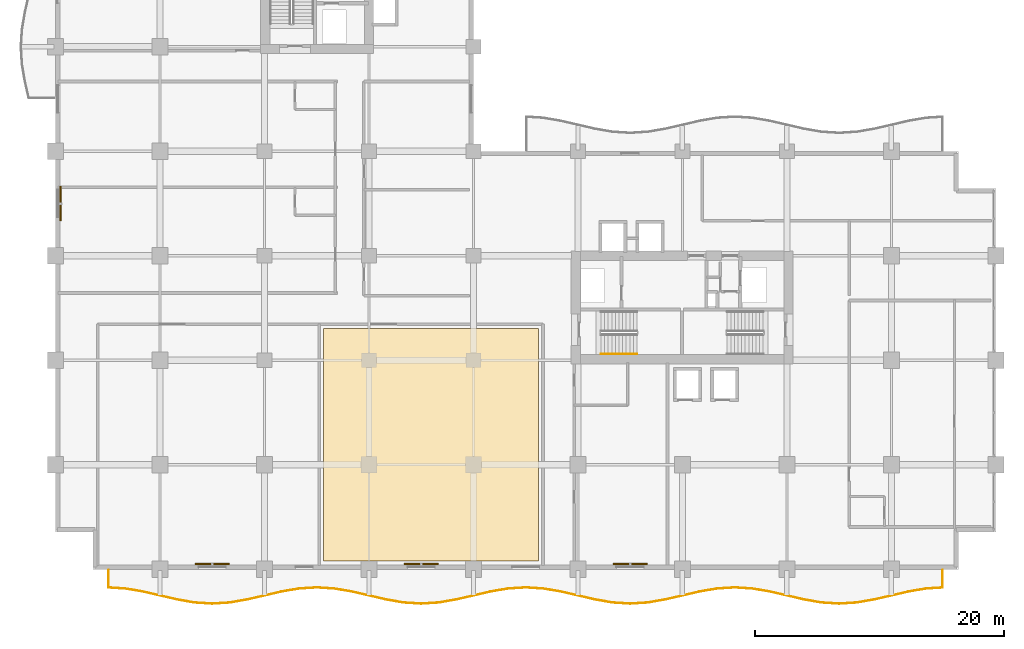
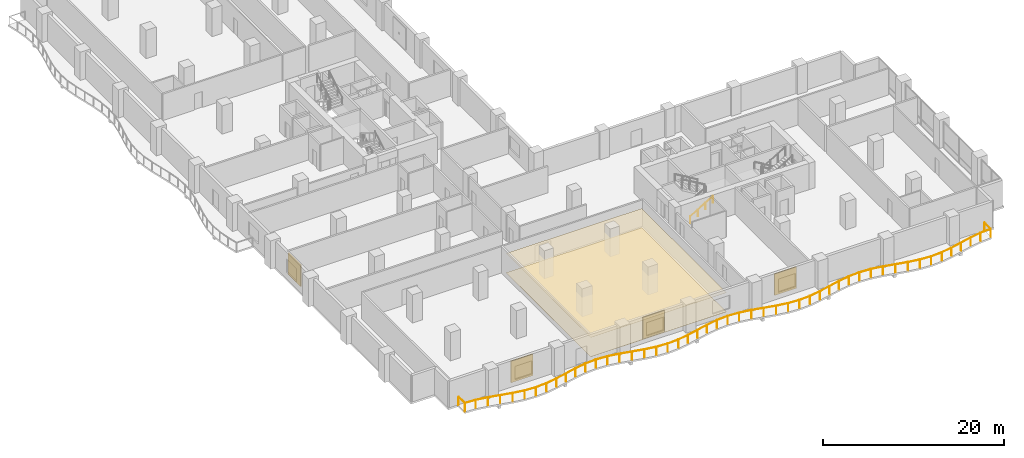
# One storey, part 20 of 23: 4 shading devices, 2 coverings, 2 railings.
"""IFC4 building model written with IfcOpenShell, lengths in metres."""

from ifc_helpers import new_model, si_unit, direction, frame, origin, origin_2d, place, context, subcontext, project, spatial, polyline, rectangle, circle, outline, extrude, material, layer, layer_set, type_object, element, save


model = new_model("IFC4")

# Units and contexts
model_context = context("Model", 3, precision=1e-05, world=origin(), true_north=direction((0.0, 1.0)))
body_context = subcontext(model_context, "Body", "Model", "MODEL_VIEW")
ifc_project = project(units=[si_unit("LENGTHUNIT", "METRE"), si_unit("AREAUNIT", "SQUARE_METRE"), si_unit("VOLUMEUNIT", "CUBIC_METRE"), si_unit("PLANEANGLEUNIT", "RADIAN"), si_unit("MASSUNIT", "GRAM", prefix="KILO")], contexts=[model_context])

# Site, building, storey
site_placement = place(None, origin())
site = spatial("IfcSite", under=ifc_project, at=site_placement, CompositionType="ELEMENT")
building_placement = place(site_placement, origin())
building = spatial("IfcBuilding", under=site, at=building_placement, Name="Koriwani Terraces Tower", CompositionType="ELEMENT")
storey_placement = place(building_placement, frame((0.0, 0.0, 134.199951171875)))
storey = spatial("IfcBuildingStorey", under=building, at=storey_placement, Name="L32", CompositionType="ELEMENT", Elevation=134.199951171875)

# Coverings
ifc_material_1 = material(Name="Fire-Rated Acoustic Gypsum Partition", Category="masonry")
ifc_layer_1 = layer(ifc_material_1, 0.02490234375, Name="Fire-Rated Acoustic Gypsum Partition")
ifc_layer_set_1 = layer_set([ifc_layer_1], Name="Fire-Rated Acoustic Gypsum Partition")
covering_type_1 = type_object("IfcCoveringType", Name="CEILING_ACOUSTIC_GYPSUM", PredefinedType="CEILING", material=ifc_layer_set_1)
covering_1_placement = place(storey_placement, frame((0.0, 0.0, 2.60498046875)))
element("IfcCovering", 1, at=covering_1_placement, inside=storey, type_object=covering_type_1, Name="L32 Suspended Acoustic Gypsum Ceiling", PredefinedType="CEILING", context=body_context, shape_type="SweptSolid", body=[
    extrude(outline(polyline([(21.550048828125, 0.64990234375), (21.550048828125, 19.35009765625), (38.85009765625, 19.35009765625), (38.85009765625, 0.64990234375), (21.550048828125, 0.64990234375)])), origin(), (0.0, 0.0, 1.0), 0.025146484375),
])
ifc_material_2 = material(Name="Polished Andean Slate Flooring", Category="masonry")
ifc_layer_2 = layer(ifc_material_2, 0.030029296875, Name="Polished Andean Slate Flooring")
ifc_layer_set_2 = layer_set([ifc_layer_2], Name="Polished Andean Slate Flooring")
covering_type_2 = type_object("IfcCoveringType", Name="FLOORING_ANDEAN_STONE", PredefinedType="FLOORING", material=ifc_layer_set_2)
covering_2_placement = place(storey_placement, origin())
element("IfcCovering", 2, at=covering_2_placement, inside=storey, type_object=covering_type_2, Name="L32 Polished Andean Slate Floor Finish", PredefinedType="FLOORING", context=body_context, shape_type="SweptSolid", body=[
    extrude(outline(polyline([(21.550048828125, 0.64990234375), (21.550048828125, 19.35009765625), (38.85009765625, 19.35009765625), (38.85009765625, 0.64990234375), (21.550048828125, 0.64990234375)])), origin(), (0.0, 0.0, 1.0), 0.030029296875),
])

# Railings
ifc_material_3 = material(Name="Steel ASTM A572 Grade 50", Category="steel")
railing_type_1 = type_object("IfcRailingType", Name="GUARD_BALUSTRADE_1150", PredefinedType="BALUSTRADE", material=ifc_material_3)
railing_1_placement = place(storey_placement, frame((4.280029296875, -0.080078125, 0.0)))
element("IfcRailing", 3, at=railing_1_placement, inside=storey, type_object=railing_type_1, Name="L32 Balcony Perimeter Safety Balustrade (S)", PredefinedType="BALUSTRADE", context=body_context, shape_type="SweptSolid", body=[
    extrude(circle(Radius=0.02392578125, at=origin_2d()), frame((0.0, 0.0, 1.1259765625), z_axis=(0.0, -1.0, 0.0), x_axis=(1.0, 0.0, 0.0)), (0.0, 0.0, 1.0), 1.394775390625),
    extrude(circle(Radius=0.02392578125, at=origin_2d()), frame((0.0, -1.394775390625, 1.1259765625), z_axis=(0.998066819565, -0.062150009521, 0.0), x_axis=(0.062150009521, 0.998066819565, 0.0)), (0.0, 0.0, 1.0), 1.331787109375),
    extrude(circle(Radius=0.02392578125, at=origin_2d()), frame((1.3291015625, -1.4775390625, 1.1259765625), z_axis=(0.985866306337, -0.167533954852, 0.0), x_axis=(0.167533954852, 0.985866306337, 0.0)), (0.0, 0.0, 1.0), 1.4267578125),
    extrude(circle(Radius=0.02392578125, at=origin_2d()), frame((2.735595703125, -1.716552734375, 1.1259765625), z_axis=(0.974109892753, -0.226075024805, 0.0), x_axis=(0.226075024805, 0.974109892753, 0.0)), (0.0, 0.0, 1.0), 2.874755859375),
    extrude(circle(Radius=0.02392578125, at=origin_2d()), frame((5.535888671875, -2.366455078125, 1.1259765625), z_axis=(0.985861269125, -0.167563594016, 0.0), x_axis=(0.167563594016, 0.985861269125, 0.0)), (0.0, 0.0, 1.0), 1.413330078125),
    extrude(circle(Radius=0.02392578125, at=origin_2d()), frame((6.92919921875, -2.603271484375, 1.1259765625), z_axis=(0.998075009192, -0.062018352335, 0.0), x_axis=(0.062018352335, 0.998075009192, 0.0)), (0.0, 0.0, 1.0), 1.3935546875),
    extrude(circle(Radius=0.02392578125, at=origin_2d()), frame((8.320068359375, -2.689697265625, 1.1259765625), z_axis=(0.998074335174, 0.062029198499, 0.0), x_axis=(-0.062029198499, 0.998074335174, 0.0)), (0.0, 0.0, 1.0), 1.393310546875),
    extrude(circle(Radius=0.02392578125, at=origin_2d()), frame((9.710693359375, -2.603271484375, 1.1259765625), z_axis=(0.985866118171, 0.167535062128, 0.0), x_axis=(-0.167535062128, 0.985866118171, 0.0)), (0.0, 0.0, 1.0), 1.41357421875),
    extrude(circle(Radius=0.02392578125, at=origin_2d()), frame((11.104248046875, -2.366455078125, 1.1259765625), z_axis=(0.974105551615, 0.226093729043, 0.0), x_axis=(-0.226093729043, 0.974105551615, 0.0)), (0.0, 0.0, 1.0), 2.87451171875),
    extrude(circle(Radius=0.02392578125, at=origin_2d()), frame((13.904296875, -1.716552734375, 1.1259765625), z_axis=(0.985866306337, 0.167533954852, 0.0), x_axis=(-0.167533954852, 0.985866306337, 0.0)), (0.0, 0.0, 1.0), 1.4267578125),
    extrude(circle(Radius=0.02392578125, at=origin_2d()), frame((15.310791015625, -1.4775390625, 1.1259765625), z_axis=(0.9980820707, 0.061904605217, 0.0), x_axis=(-0.061904605217, 0.9980820707, 0.0)), (0.0, 0.0, 1.0), 1.411865234375),
    extrude(circle(Radius=0.02392578125, at=origin_2d()), frame((16.719970703125, -1.39013671875, 1.1259765625), z_axis=(0.9980820707, -0.061904605217, 0.0), x_axis=(0.061904605217, 0.9980820707, 0.0)), (0.0, 0.0, 1.0), 1.411865234375),
    extrude(circle(Radius=0.02392578125, at=origin_2d()), frame((18.129150390625, -1.4775390625, 1.1259765625), z_axis=(0.985866306337, -0.167533954852, 0.0), x_axis=(0.167533954852, 0.985866306337, 0.0)), (0.0, 0.0, 1.0), 1.4267578125),
    extrude(circle(Radius=0.02392578125, at=origin_2d()), frame((19.53564453125, -1.716552734375, 1.1259765625), z_axis=(0.974105551615, -0.226093729043, 0.0), x_axis=(0.226093729043, 0.974105551615, 0.0)), (0.0, 0.0, 1.0), 2.87451171875),
    extrude(circle(Radius=0.02392578125, at=origin_2d()), frame((22.335693359375, -2.366455078125, 1.1259765625), z_axis=(0.985866118171, -0.167535062128, 0.0), x_axis=(0.167535062128, 0.985866118171, 0.0)), (0.0, 0.0, 1.0), 1.41357421875),
    extrude(circle(Radius=0.02392578125, at=origin_2d()), frame((23.729248046875, -2.603271484375, 1.1259765625), z_axis=(0.998074335174, -0.062029198499, 0.0), x_axis=(0.062029198499, 0.998074335174, 0.0)), (0.0, 0.0, 1.0), 1.393310546875),
    extrude(circle(Radius=0.02392578125, at=origin_2d()), frame((25.119873046875, -2.689697265625, 1.1259765625), z_axis=(0.998075009192, 0.062018352335, 0.0), x_axis=(-0.062018352335, 0.998075009192, 0.0)), (0.0, 0.0, 1.0), 1.3935546875),
    extrude(circle(Radius=0.02392578125, at=origin_2d()), frame((26.5107421875, -2.603271484375, 1.1259765625), z_axis=(0.985861269125, 0.167563594016, 0.0), x_axis=(-0.167563594016, 0.985861269125, 0.0)), (0.0, 0.0, 1.0), 1.413330078125),
    extrude(circle(Radius=0.02392578125, at=origin_2d()), frame((27.904052734375, -2.366455078125, 1.1259765625), z_axis=(0.974109892753, 0.226075024805, 0.0), x_axis=(-0.226075024805, 0.974109892753, 0.0)), (0.0, 0.0, 1.0), 2.874755859375),
    extrude(circle(Radius=0.02392578125, at=origin_2d()), frame((30.704345703125, -1.716552734375, 1.1259765625), z_axis=(0.985866306337, 0.167533954852, 0.0), x_axis=(-0.167533954852, 0.985866306337, 0.0)), (0.0, 0.0, 1.0), 1.4267578125),
    extrude(circle(Radius=0.02392578125, at=origin_2d()), frame((32.11083984375, -1.4775390625, 1.1259765625), z_axis=(0.9980820707, 0.061904605217, 0.0), x_axis=(-0.061904605217, 0.9980820707, 0.0)), (0.0, 0.0, 1.0), 1.411865234375),
    extrude(circle(Radius=0.02392578125, at=origin_2d()), frame((33.52001953125, -1.39013671875, 1.1259765625), z_axis=(0.9980820707, -0.061904605217, 0.0), x_axis=(0.061904605217, 0.9980820707, 0.0)), (0.0, 0.0, 1.0), 1.411865234375),
    extrude(circle(Radius=0.02392578125, at=origin_2d()), frame((34.92919921875, -1.4775390625, 1.1259765625), z_axis=(0.985866306337, -0.167533954852, 0.0), x_axis=(0.167533954852, 0.985866306337, 0.0)), (0.0, 0.0, 1.0), 1.4267578125),
    extrude(circle(Radius=0.02392578125, at=origin_2d()), frame((36.335693359375, -1.716552734375, 1.1259765625), z_axis=(0.974105551615, -0.226093729043, 0.0), x_axis=(0.226093729043, 0.974105551615, 0.0)), (0.0, 0.0, 1.0), 2.87451171875),
    extrude(circle(Radius=0.02392578125, at=origin_2d()), frame((39.1357421875, -2.366455078125, 1.1259765625), z_axis=(0.985861269125, -0.167563594016, 0.0), x_axis=(0.167563594016, 0.985861269125, 0.0)), (0.0, 0.0, 1.0), 1.413330078125),
    extrude(circle(Radius=0.02392578125, at=origin_2d()), frame((40.529052734375, -2.603271484375, 1.1259765625), z_axis=(0.998075009192, -0.062018352335, 0.0), x_axis=(0.062018352335, 0.998075009192, 0.0)), (0.0, 0.0, 1.0), 1.3935546875),
    extrude(circle(Radius=0.02392578125, at=origin_2d()), frame((41.919921875, -2.689697265625, 1.1259765625), z_axis=(0.998075009192, 0.062018352335, 0.0), x_axis=(-0.062018352335, 0.998075009192, 0.0)), (0.0, 0.0, 1.0), 1.3935546875),
    extrude(circle(Radius=0.02392578125, at=origin_2d()), frame((43.310791015625, -2.603271484375, 1.1259765625), z_axis=(0.985861269125, 0.167563594016, 0.0), x_axis=(-0.167563594016, 0.985861269125, 0.0)), (0.0, 0.0, 1.0), 1.413330078125),
    extrude(circle(Radius=0.02392578125, at=origin_2d()), frame((44.7041015625, -2.366455078125, 1.1259765625), z_axis=(0.974105551615, 0.226093729043, 0.0), x_axis=(-0.226093729043, 0.974105551615, 0.0)), (0.0, 0.0, 1.0), 2.87451171875),
    extrude(circle(Radius=0.02392578125, at=origin_2d()), frame((47.504150390625, -1.716552734375, 1.1259765625), z_axis=(0.985871108269, 0.16750569507, 0.0), x_axis=(-0.16750569507, 0.985871108269, 0.0)), (0.0, 0.0, 1.0), 1.427001953125),
    extrude(circle(Radius=0.02392578125, at=origin_2d()), frame((48.910888671875, -1.4775390625, 1.1259765625), z_axis=(0.9980820707, 0.061904605217, 0.0), x_axis=(-0.061904605217, 0.9980820707, 0.0)), (0.0, 0.0, 1.0), 1.411865234375),
    extrude(circle(Radius=0.02392578125, at=origin_2d()), frame((50.320068359375, -1.39013671875, 1.1259765625), z_axis=(0.9980820707, -0.061904605217, 0.0), x_axis=(0.061904605217, 0.9980820707, 0.0)), (0.0, 0.0, 1.0), 1.411865234375),
    extrude(circle(Radius=0.02392578125, at=origin_2d()), frame((51.729248046875, -1.4775390625, 1.1259765625), z_axis=(0.985866306337, -0.167533954852, 0.0), x_axis=(0.167533954852, 0.985866306337, 0.0)), (0.0, 0.0, 1.0), 1.4267578125),
    extrude(circle(Radius=0.02392578125, at=origin_2d()), frame((53.1357421875, -1.716552734375, 1.1259765625), z_axis=(0.974105551615, -0.226093729043, 0.0), x_axis=(0.226093729043, 0.974105551615, 0.0)), (0.0, 0.0, 1.0), 2.87451171875),
    extrude(circle(Radius=0.02392578125, at=origin_2d()), frame((55.935791015625, -2.366455078125, 1.1259765625), z_axis=(0.985861269125, -0.167563594016, 0.0), x_axis=(0.167563594016, 0.985861269125, 0.0)), (0.0, 0.0, 1.0), 1.413330078125),
    extrude(circle(Radius=0.02392578125, at=origin_2d()), frame((57.3291015625, -2.603271484375, 1.1259765625), z_axis=(0.998075009192, -0.062018352335, 0.0), x_axis=(0.062018352335, 0.998075009192, 0.0)), (0.0, 0.0, 1.0), 1.3935546875),
    extrude(circle(Radius=0.02392578125, at=origin_2d()), frame((58.719970703125, -2.689697265625, 1.1259765625), z_axis=(0.998075009192, 0.062018352335, 0.0), x_axis=(-0.062018352335, 0.998075009192, 0.0)), (0.0, 0.0, 1.0), 1.3935546875),
    extrude(circle(Radius=0.02392578125, at=origin_2d()), frame((60.11083984375, -2.603271484375, 1.1259765625), z_axis=(0.985861269125, 0.167563594016, 0.0), x_axis=(-0.167563594016, 0.985861269125, 0.0)), (0.0, 0.0, 1.0), 1.413330078125),
    extrude(circle(Radius=0.02392578125, at=origin_2d()), frame((61.504150390625, -2.366455078125, 1.1259765625), z_axis=(0.974105551615, 0.226093729043, 0.0), x_axis=(-0.226093729043, 0.974105551615, 0.0)), (0.0, 0.0, 1.0), 2.87451171875),
    extrude(circle(Radius=0.02392578125, at=origin_2d()), frame((64.30419921875, -1.716552734375, 1.1259765625), z_axis=(0.985866306337, 0.167533954852, 0.0), x_axis=(-0.167533954852, 0.985866306337, 0.0)), (0.0, 0.0, 1.0), 1.4267578125),
    extrude(circle(Radius=0.02392578125, at=origin_2d()), frame((65.710693359375, -1.4775390625, 1.1259765625), z_axis=(0.998067527518, 0.062138639454, 0.0), x_axis=(-0.062138639454, 0.998067527518, 0.0)), (0.0, 0.0, 1.0), 1.33203125),
    extrude(circle(Radius=0.02392578125, at=origin_2d()), frame((67.0400390625, -1.394775390625, 1.1259765625), z_axis=(0.0, 1.0, 0.0), x_axis=(-1.0, 0.0, 0.0)), (0.0, 0.0, 1.0), 1.394775390625),
    extrude(circle(Radius=0.02099609375, at=origin_2d()), origin(), (0.0, 0.0, 1.0), 1.101806640625),
    extrude(circle(Radius=0.02099609375, at=origin_2d()), frame((0.0, -1.394775390625, 0.0)), (0.0, 0.0, 1.0), 1.101806640625),
    extrude(circle(Radius=0.02099609375, at=origin_2d()), frame((1.3291015625, -1.4775390625, 0.0)), (0.0, 0.0, 1.0), 1.101806640625),
    extrude(circle(Radius=0.02099609375, at=origin_2d()), frame((2.735595703125, -1.716552734375, 0.0)), (0.0, 0.0, 1.0), 1.101806640625),
    extrude(circle(Radius=0.02099609375, at=origin_2d()), frame((4.1357421875, -2.04150390625, 0.0)), (0.0, 0.0, 1.0), 1.101806640625),
    extrude(circle(Radius=0.02099609375, at=origin_2d()), frame((5.535888671875, -2.366455078125, 0.0)), (0.0, 0.0, 1.0), 1.101806640625),
    extrude(circle(Radius=0.02099609375, at=origin_2d()), frame((6.92919921875, -2.603271484375, 0.0)), (0.0, 0.0, 1.0), 1.101806640625),
    extrude(circle(Radius=0.02099609375, at=origin_2d()), frame((8.320068359375, -2.689697265625, 0.0)), (0.0, 0.0, 1.0), 1.101806640625),
    extrude(circle(Radius=0.02099609375, at=origin_2d()), frame((9.710693359375, -2.603271484375, 0.0)), (0.0, 0.0, 1.0), 1.101806640625),
    extrude(circle(Radius=0.02099609375, at=origin_2d()), frame((11.104248046875, -2.366455078125, 0.0)), (0.0, 0.0, 1.0), 1.101806640625),
    extrude(circle(Radius=0.02099609375, at=origin_2d()), frame((12.50439453125, -2.04150390625, 0.0)), (0.0, 0.0, 1.0), 1.101806640625),
    extrude(circle(Radius=0.02099609375, at=origin_2d()), frame((13.904296875, -1.716552734375, 0.0)), (0.0, 0.0, 1.0), 1.101806640625),
    extrude(circle(Radius=0.02099609375, at=origin_2d()), frame((15.310791015625, -1.4775390625, 0.0)), (0.0, 0.0, 1.0), 1.101806640625),
    extrude(circle(Radius=0.02099609375, at=origin_2d()), frame((16.719970703125, -1.39013671875, 0.0)), (0.0, 0.0, 1.0), 1.101806640625),
    extrude(circle(Radius=0.02099609375, at=origin_2d()), frame((18.129150390625, -1.4775390625, 0.0)), (0.0, 0.0, 1.0), 1.101806640625),
    extrude(circle(Radius=0.02099609375, at=origin_2d()), frame((19.53564453125, -1.716552734375, 0.0)), (0.0, 0.0, 1.0), 1.101806640625),
    extrude(circle(Radius=0.02099609375, at=origin_2d()), frame((20.935546875, -2.04150390625, 0.0)), (0.0, 0.0, 1.0), 1.101806640625),
    extrude(circle(Radius=0.02099609375, at=origin_2d()), frame((22.335693359375, -2.366455078125, 0.0)), (0.0, 0.0, 1.0), 1.101806640625),
    extrude(circle(Radius=0.02099609375, at=origin_2d()), frame((23.729248046875, -2.603271484375, 0.0)), (0.0, 0.0, 1.0), 1.101806640625),
    extrude(circle(Radius=0.02099609375, at=origin_2d()), frame((25.119873046875, -2.689697265625, 0.0)), (0.0, 0.0, 1.0), 1.101806640625),
    extrude(circle(Radius=0.02099609375, at=origin_2d()), frame((26.5107421875, -2.603271484375, 0.0)), (0.0, 0.0, 1.0), 1.101806640625),
    extrude(circle(Radius=0.02099609375, at=origin_2d()), frame((27.904052734375, -2.366455078125, 0.0)), (0.0, 0.0, 1.0), 1.101806640625),
    extrude(circle(Radius=0.02099609375, at=origin_2d()), frame((29.30419921875, -2.04150390625, 0.0)), (0.0, 0.0, 1.0), 1.101806640625),
    extrude(circle(Radius=0.02099609375, at=origin_2d()), frame((30.704345703125, -1.716552734375, 0.0)), (0.0, 0.0, 1.0), 1.101806640625),
    extrude(circle(Radius=0.02099609375, at=origin_2d()), frame((32.11083984375, -1.4775390625, 0.0)), (0.0, 0.0, 1.0), 1.101806640625),
    extrude(circle(Radius=0.02099609375, at=origin_2d()), frame((33.52001953125, -1.39013671875, 0.0)), (0.0, 0.0, 1.0), 1.101806640625),
    extrude(circle(Radius=0.02099609375, at=origin_2d()), frame((34.92919921875, -1.4775390625, 0.0)), (0.0, 0.0, 1.0), 1.101806640625),
    extrude(circle(Radius=0.02099609375, at=origin_2d()), frame((36.335693359375, -1.716552734375, 0.0)), (0.0, 0.0, 1.0), 1.101806640625),
    extrude(circle(Radius=0.02099609375, at=origin_2d()), frame((37.73583984375, -2.04150390625, 0.0)), (0.0, 0.0, 1.0), 1.101806640625),
    extrude(circle(Radius=0.02099609375, at=origin_2d()), frame((39.1357421875, -2.366455078125, 0.0)), (0.0, 0.0, 1.0), 1.101806640625),
    extrude(circle(Radius=0.02099609375, at=origin_2d()), frame((40.529052734375, -2.603271484375, 0.0)), (0.0, 0.0, 1.0), 1.101806640625),
    extrude(circle(Radius=0.02099609375, at=origin_2d()), frame((41.919921875, -2.689697265625, 0.0)), (0.0, 0.0, 1.0), 1.101806640625),
    extrude(circle(Radius=0.02099609375, at=origin_2d()), frame((43.310791015625, -2.603271484375, 0.0)), (0.0, 0.0, 1.0), 1.101806640625),
    extrude(circle(Radius=0.02099609375, at=origin_2d()), frame((44.7041015625, -2.366455078125, 0.0)), (0.0, 0.0, 1.0), 1.101806640625),
    extrude(circle(Radius=0.02099609375, at=origin_2d()), frame((46.10400390625, -2.04150390625, 0.0)), (0.0, 0.0, 1.0), 1.101806640625),
    extrude(circle(Radius=0.02099609375, at=origin_2d()), frame((47.504150390625, -1.716552734375, 0.0)), (0.0, 0.0, 1.0), 1.101806640625),
    extrude(circle(Radius=0.02099609375, at=origin_2d()), frame((48.910888671875, -1.4775390625, 0.0)), (0.0, 0.0, 1.0), 1.101806640625),
    extrude(circle(Radius=0.02099609375, at=origin_2d()), frame((50.320068359375, -1.39013671875, 0.0)), (0.0, 0.0, 1.0), 1.101806640625),
    extrude(circle(Radius=0.02099609375, at=origin_2d()), frame((51.729248046875, -1.4775390625, 0.0)), (0.0, 0.0, 1.0), 1.101806640625),
    extrude(circle(Radius=0.02099609375, at=origin_2d()), frame((53.1357421875, -1.716552734375, 0.0)), (0.0, 0.0, 1.0), 1.101806640625),
    extrude(circle(Radius=0.02099609375, at=origin_2d()), frame((54.53564453125, -2.04150390625, 0.0)), (0.0, 0.0, 1.0), 1.101806640625),
    extrude(circle(Radius=0.02099609375, at=origin_2d()), frame((55.935791015625, -2.366455078125, 0.0)), (0.0, 0.0, 1.0), 1.101806640625),
    extrude(circle(Radius=0.02099609375, at=origin_2d()), frame((57.3291015625, -2.603271484375, 0.0)), (0.0, 0.0, 1.0), 1.101806640625),
    extrude(circle(Radius=0.02099609375, at=origin_2d()), frame((58.719970703125, -2.689697265625, 0.0)), (0.0, 0.0, 1.0), 1.101806640625),
    extrude(circle(Radius=0.02099609375, at=origin_2d()), frame((60.11083984375, -2.603271484375, 0.0)), (0.0, 0.0, 1.0), 1.101806640625),
    extrude(circle(Radius=0.02099609375, at=origin_2d()), frame((61.504150390625, -2.366455078125, 0.0)), (0.0, 0.0, 1.0), 1.101806640625),
    extrude(circle(Radius=0.02099609375, at=origin_2d()), frame((62.904296875, -2.04150390625, 0.0)), (0.0, 0.0, 1.0), 1.101806640625),
    extrude(circle(Radius=0.02099609375, at=origin_2d()), frame((64.30419921875, -1.716552734375, 0.0)), (0.0, 0.0, 1.0), 1.101806640625),
    extrude(circle(Radius=0.02099609375, at=origin_2d()), frame((65.710693359375, -1.4775390625, 0.0)), (0.0, 0.0, 1.0), 1.101806640625),
    extrude(circle(Radius=0.02099609375, at=origin_2d()), frame((67.0400390625, -1.394775390625, 0.0)), (0.0, 0.0, 1.0), 1.101806640625),
    extrude(circle(Radius=0.02099609375, at=origin_2d()), frame((67.0400390625, 0.0, 0.0)), (0.0, 0.0, 1.0), 1.101806640625),
])
railing_type_2 = type_object("IfcRailingType", Name="HANDRAIL_STAIR_920", PredefinedType="HANDRAIL", material=ifc_material_3)
railing_2_placement = place(storey_placement, frame((43.85009765625, 17.300048828125, 0.1728515625)))
element("IfcRailing", 4, at=railing_2_placement, inside=storey, type_object=railing_type_2, Name="L32 ST-E1 stair handrail 1", PredefinedType="HANDRAIL", context=body_context, shape_type="SweptSolid", body=[
    extrude(circle(Radius=0.02392578125, at=origin_2d()), frame((0.0, 0.0, 0.8759765625), z_axis=(0.859141464434, 0.0, 0.511738159696), x_axis=(0.0, 1.0, 0.0)), (0.0, 0.0, 1.0), 3.375244140625),
    extrude(circle(Radius=0.02099609375, at=origin_2d()), origin(), (0.0, 0.0, 1.0), 0.851806640625),
    extrude(circle(Radius=0.02099609375, at=origin_2d()), frame((0.966552734375, 0.0, 0.57568359375)), (0.0, 0.0, 1.0), 0.851806640625),
    extrude(circle(Radius=0.02099609375, at=origin_2d()), frame((1.933349609375, 0.0, 1.151611328125)), (0.0, 0.0, 1.0), 0.851806640625),
    extrude(circle(Radius=0.02099609375, at=origin_2d()), frame((2.89990234375, 0.0, 1.727294921875)), (0.0, 0.0, 1.0), 0.851806640625),
])

# Shading devices
ifc_material_4 = material(Name="Extruded Terracotta Clay", Category="masonry")
ifc_layer_3 = layer(ifc_material_4, 0.1201171875, Name="Extruded Terracotta Clay")
ifc_layer_set_3 = layer_set([ifc_layer_3], Name="Extruded Terracotta Clay")
shading_device_type = type_object("IfcShadingDeviceType", Name="TERRACOTTA_BAGUETTE_SCREEN_2800", PredefinedType="USERDEFINED", material=ifc_layer_set_3)
for number, where, z_axis, x_axis, name in (
    (5, (0.405029296875, 29.39990234375, 0.3251953125), (0.0, 0.0, 1.0), (0.0, 1.0, 0.0), "L32 Extruded Terracotta Baguette Screen (W-9)"),
    (6, (12.60009765625, 0.405029296875, 0.3251953125), (0.0, 0.0, 1.0), (-1.0, 0.0, 0.0), "L32 Extruded Terracotta Baguette Screen (S-3)"),
    (7, (29.39990234375, 0.405029296875, 0.3251953125), (0.0, 0.0, 1.0), (-1.0, 0.0, 0.0), "L32 Extruded Terracotta Baguette Screen (S-9)"),
    (8, (46.199951171875, 0.405029296875, 0.3251953125), (0.0, 0.0, 1.0), (-1.0, 0.0, 0.0), "L32 Extruded Terracotta Baguette Screen (S-15)"),
):
    element("IfcShadingDevice", number, at=place(storey_placement, frame(where, z_axis=z_axis, x_axis=x_axis)), inside=storey, type_object=shading_device_type, Name=name, ObjectType="BAGUETTE", PredefinedType="USERDEFINED", context=body_context, shape_type="SweptSolid", body=[
        extrude(rectangle(XDim=2.760009765625, YDim=0.1201171875, at=origin_2d()), origin(), (0.0, 0.0, 1.0), 2.89990234375),
    ])

save(model, "model.ifc")
